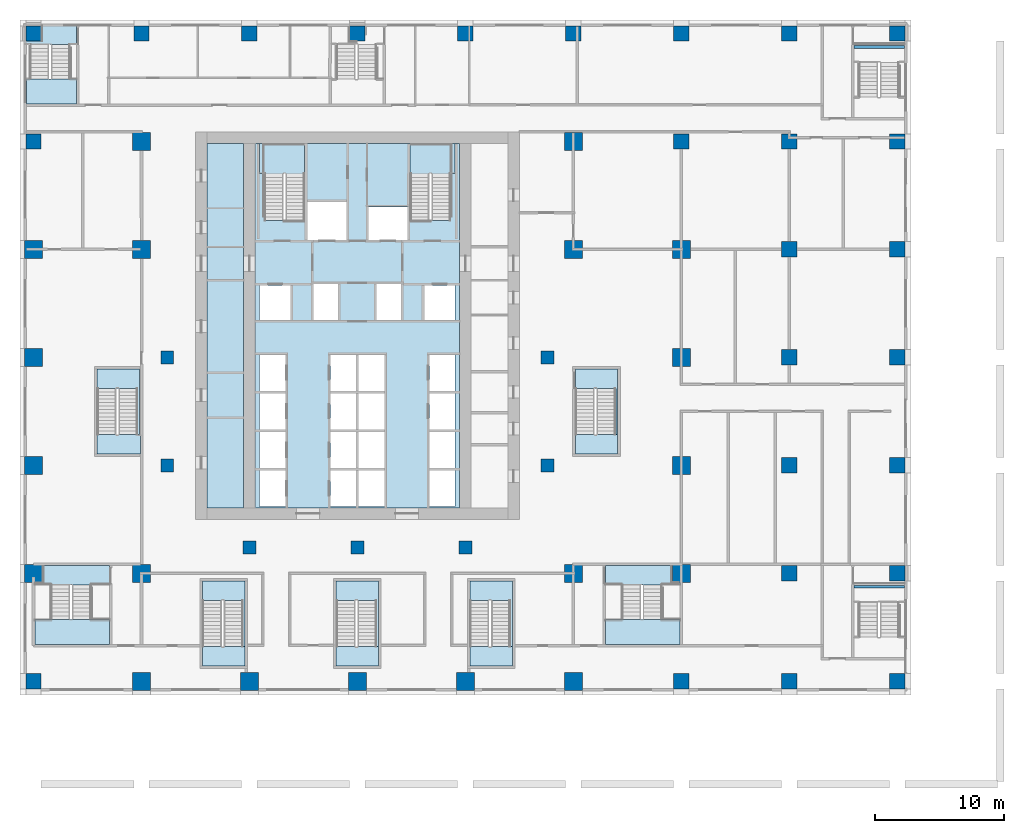
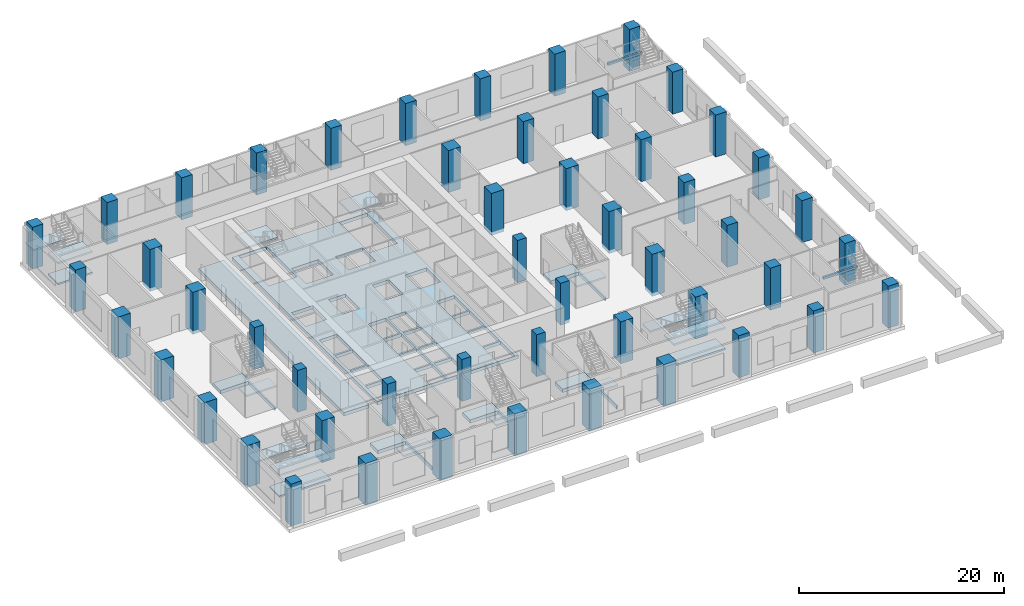
# One storey, part 1 of 21: 51 columns, 23 slabs, 2 beams, 10 elements without a shape of their own.
"""IFC4 building model written with IfcOpenShell, lengths in metres."""

import ifcopenshell
import ifcopenshell.guid

model = None  # the IFC model being written
_history = None  # IfcOwnerHistory: only IFC2X3 demands one
_inside = {}  # id of a spatial element -> (the spatial element, [elements in it])
_under = {}  # id of a project, library or spatial element -> (it, [spatial elements below it])
_declared = {}  # id of a project -> (the project, [libraries it declares])
_typed = {}  # id of a type object -> (the type object, [elements of that type])
_made_of = {}  # id of a material, layer set ... -> (it, [elements and type objects made of it])


def new_model(schema):
    """Start an empty IFC model of exactly this schema.

    Asked for "IFC4X3", IfcOpenShell would pick the latest addendum, in which some entities
    have other attributes; the version numbers below select the first issue.
    IFC2X3 requires an IfcOwnerHistory on every rooted entity: one is made here for all.
    """
    global model, _history
    if schema == "IFC4X3":
        model = ifcopenshell.file(schema_version=(4, 3, 0, 0))
    else:
        model = ifcopenshell.file(schema=schema)
    _inside.clear()
    _under.clear()
    _declared.clear()
    _typed.clear()
    _made_of.clear()
    _history = None
    if model.schema == "IFC2X3":
        org = make("IfcOrganization", Name="unknown")
        user = make(
            "IfcPersonAndOrganization",
            ThePerson=make("IfcPerson", FamilyName="unknown"),
            TheOrganization=org,
        )
        app = make(
            "IfcApplication",
            ApplicationDeveloper=org,
            Version="unknown",
            ApplicationFullName="unknown",
            ApplicationIdentifier="unknown",
        )
        _history = make(
            "IfcOwnerHistory",
            OwningUser=user,
            OwningApplication=app,
            ChangeAction="ADDED",
            CreationDate=0,
        )
    return model


def make(cls, **values):
    """One entity of the class cls with the attributes given. An attribute that is None is left unset."""
    return model.create_entity(
        cls, **{name: value for name, value in values.items() if value is not None}
    )


def rooted(cls, **values):
    """An entity with a GlobalId (a new one), such as an element, a storey or a relation."""
    return make(cls, GlobalId=ifcopenshell.guid.new(), OwnerHistory=_history, **values)


def si_unit(unit_type, name, prefix=None):
    """IfcSIUnit, for example si_unit("LENGTHUNIT", "METRE", prefix="MILLI")."""
    return make("IfcSIUnit", UnitType=unit_type, Prefix=prefix, Name=name)


def assignment(units):
    """IfcUnitAssignment: the units of a project."""
    return None if units is None else make("IfcUnitAssignment", Units=units)


def point(xyz):
    """IfcCartesianPoint."""
    return None if xyz is None else make("IfcCartesianPoint", Coordinates=xyz)


def direction(xyz):
    """IfcDirection."""
    return None if xyz is None else make("IfcDirection", DirectionRatios=xyz)


def frame(location, z_axis=None, x_axis=None):
    """IfcAxis2Placement3D, a coordinate frame: its origin and axes. An axis left out is left unset."""
    return make(
        "IfcAxis2Placement3D",
        Location=point(location),
        Axis=direction(z_axis),
        RefDirection=direction(x_axis),
    )


def frame_2d(location, x_axis=None):
    """IfcAxis2Placement2D, a coordinate frame in the plane: its origin and x axis."""
    return make(
        "IfcAxis2Placement2D", Location=point(location), RefDirection=direction(x_axis)
    )


def origin():
    """The frame at (0, 0, 0) with its axes left unset."""
    return frame((0.0, 0.0, 0.0))


def origin_2d():
    """The frame at (0, 0) in the plane with its x axis left unset."""
    return frame_2d((0.0, 0.0))


def place(relative_to, where):
    """IfcLocalPlacement: puts the frame where relative to a parent placement (None: the world)."""
    return make(
        "IfcLocalPlacement", PlacementRelTo=relative_to, RelativePlacement=where
    )


def context(
    kind, dimensions, precision=None, world=None, true_north=None, identifier=None
):
    """IfcGeometricRepresentationContext, for example the 3D "Model" context."""
    return make(
        "IfcGeometricRepresentationContext",
        ContextIdentifier=identifier,
        ContextType=kind,
        CoordinateSpaceDimension=dimensions,
        Precision=precision,
        WorldCoordinateSystem=world,
        TrueNorth=true_north,
    )


def subcontext(parent, identifier, kind, view, scale=None):
    """IfcGeometricRepresentationSubContext, for example "Body" below "Model"."""
    return make(
        "IfcGeometricRepresentationSubContext",
        ContextIdentifier=identifier,
        ContextType=kind,
        ParentContext=parent,
        TargetScale=scale,
        TargetView=view,
    )


def project(units=None, contexts=None):
    """IfcProject with its units and contexts."""
    return rooted(
        "IfcProject",
        Name="project",
        RepresentationContexts=contexts,
        UnitsInContext=assignment(units),
    )


def spatial(cls, under=None, at=None, **own):
    """A site, building, storey or space (cls), placed at a placement, below another one or the project."""
    s = rooted(cls, ObjectPlacement=at, **own)
    if under is not None:
        _under.setdefault(under.id(), (under, []))[1].append(s)
    return s


def polyline(points):
    """IfcPolyline through the points."""
    return make("IfcPolyline", Points=[point(p) for p in points])


def profile(cls, at=None, kind="AREA", **sizes):
    """A parametric profile (cls). Its sizes go by their IFC names, for example OverallWidth=200.0."""
    return make(cls, ProfileType=kind, Position=at, **sizes)


def rectangle(**sizes):
    """IfcRectangleProfileDef."""
    return profile("IfcRectangleProfileDef", **sizes)


def outline(outer, holes=None, kind="AREA"):
    """IfcArbitraryClosedProfileDef: a profile drawn as a closed curve; with holes, ...WithVoids."""
    if holes is None:
        return make("IfcArbitraryClosedProfileDef", ProfileType=kind, OuterCurve=outer)
    return make(
        "IfcArbitraryProfileDefWithVoids",
        ProfileType=kind,
        OuterCurve=outer,
        InnerCurves=holes,
    )


def extrude(swept, where, along, depth):
    """IfcExtrudedAreaSolid: the profile swept, set in the frame where, extruded along a direction by depth."""
    return make(
        "IfcExtrudedAreaSolid",
        SweptArea=swept,
        Position=where,
        ExtrudedDirection=direction(along),
        Depth=depth,
    )


def shape(context_of_items, identifier, shape_type, items):
    """IfcShapeRepresentation: the items that make up one representation, for example the "Body"."""
    return make(
        "IfcShapeRepresentation",
        ContextOfItems=context_of_items,
        RepresentationIdentifier=identifier,
        RepresentationType=shape_type,
        Items=items,
    )


def material(Name=None, Category=None):
    """IfcMaterial."""
    return make("IfcMaterial", Name=Name, Category=Category)


def layer(
    of_material, thickness, ventilated=None, Name=None, Category=None, Priority=None
):
    """IfcMaterialLayer: one layer of a wall or slab, of a material (None: an air gap)."""
    return make(
        "IfcMaterialLayer",
        Material=of_material,
        LayerThickness=thickness,
        IsVentilated=ventilated,
        Name=Name,
        Category=Category,
        Priority=Priority,
    )


def layer_set(layers, Name=None):
    """IfcMaterialLayerSet."""
    return make("IfcMaterialLayerSet", MaterialLayers=layers, LayerSetName=Name)


def material_profile(
    of_material, cross_section, Name=None, Category=None, Priority=None
):
    """IfcMaterialProfile: a cross section and its material."""
    return make(
        "IfcMaterialProfile",
        Name=Name,
        Material=of_material,
        Profile=cross_section,
        Priority=Priority,
        Category=Category,
    )


def profile_set(profiles, Name=None, composite=None):
    """IfcMaterialProfileSet."""
    return make(
        "IfcMaterialProfileSet",
        Name=Name,
        MaterialProfiles=profiles,
        CompositeProfile=composite,
    )


def made_of(thing, what):
    """Note that an element or type object is made of a material, layer set ...; save() writes the relation."""
    if what is not None:
        _made_of.setdefault(what.id(), (what, []))[1].append(thing)
    return thing


def type_object(cls, material=None, **own):
    """A type object (cls), such as IfcWallType, which elements share."""
    return made_of(rooted(cls, **own), material)


def element(
    cls,
    number,
    at=None,
    inside=None,
    cuts=None,
    type_object=None,
    material=None,
    context=None,
    identifier="Body",
    shape_type=None,
    held_by="IfcProductDefinitionShape",
    body=None,
    shapes=None,
    **own,
):
    """One element of the class cls, such as IfcWall. Its Tag is "e" and its number.

    at: its placement. inside: the storey or other place that contains it. cuts: it is an
    opening in that element (IfcRelVoidsElement). A single representation is given by context,
    identifier, shape_type and body (its items); several are given by shapes. held_by: the class
    of the entity that holds the representations. save() writes the other relations.
    """
    e = rooted(cls, Tag="e%d" % number, ObjectPlacement=at, **own)
    if body is not None:
        shapes = [shape(context, identifier, shape_type, body)]
    if shapes is not None:
        e.Representation = make(held_by, Representations=shapes)
    if inside is not None:
        _inside.setdefault(inside.id(), (inside, []))[1].append(e)
    if cuts is not None:
        rooted(
            "IfcRelVoidsElement", RelatingBuildingElement=cuts, RelatedOpeningElement=e
        )
    if type_object is not None:
        _typed.setdefault(type_object.id(), (type_object, []))[1].append(e)
    return made_of(e, material)


def aggregate(whole, parts):
    """IfcRelAggregates: a whole, such as a stair, and the parts it consists of."""
    return rooted("IfcRelAggregates", RelatingObject=whole, RelatedObjects=parts)


def save(model, path):
    """Write the relations noted so far, then the file.

    IfcRelAggregates (storeys below a building ...), IfcRelContainedInSpatialStructure (elements
    in a storey), IfcRelDefinesByType, IfcRelAssociatesMaterial and IfcRelDeclares: one each for
    every whole, place, type object, material and project.
    """
    for whole, parts in _under.values():
        aggregate(whole, parts)
    for where, things in _inside.values():
        rooted(
            "IfcRelContainedInSpatialStructure",
            RelatedElements=things,
            RelatingStructure=where,
        )
    for kind, things in _typed.values():
        rooted("IfcRelDefinesByType", RelatedObjects=things, RelatingType=kind)
    for what, things in _made_of.values():
        rooted("IfcRelAssociatesMaterial", RelatedObjects=things, RelatingMaterial=what)
    for by, libraries in _declared.values():
        rooted("IfcRelDeclares", RelatingContext=by, RelatedDefinitions=libraries)
    model.write(path)


model = new_model("IFC4")

# Units and contexts
model_context = context("Model", 3, precision=1e-05, world=origin(), true_north=direction((0.0, 1.0)))
body_context = subcontext(model_context, "Body", "Model", "MODEL_VIEW")
ifc_project = project(units=[si_unit("LENGTHUNIT", "METRE"), si_unit("AREAUNIT", "SQUARE_METRE"), si_unit("VOLUMEUNIT", "CUBIC_METRE"), si_unit("PLANEANGLEUNIT", "RADIAN"), si_unit("MASSUNIT", "GRAM", prefix="KILO")], contexts=[model_context])

# Site, building, storey
site_placement = place(None, origin())
site = spatial("IfcSite", under=ifc_project, at=site_placement, CompositionType="ELEMENT")
building_placement = place(site_placement, origin())
building = spatial("IfcBuilding", under=site, at=building_placement, Name="Vermilion Ogive Tower", CompositionType="ELEMENT")
storey_placement = place(building_placement, frame((0.0, 0.0, 25.0)))
storey = spatial("IfcBuildingStorey", under=building, at=storey_placement, Name="L04", CompositionType="ELEMENT", Elevation=25.0)

# Columns
ifc_material_1 = material(Name="Concrete B80", Category="concrete")
ifc_material_profile_1 = material_profile(ifc_material_1, rectangle(XDim=1.39990234375, YDim=1.39990234375, at=origin_2d()), Name="1400 x 1400")
ifc_profile_set_1 = profile_set([ifc_material_profile_1], Name="Concrete B80")
column_type_1 = type_object("IfcColumnType", Name="Perimeter column 1400 x 1400 B80", PredefinedType="COLUMN", material=ifc_profile_set_1)
for number, where, z_axis, x_axis, name in (
    (1, (-16.800048828125, -21.0, -0.39990234375), (0.0, 0.0, 1.0), (1.0, 0.0, 0.0), "COL-L04-P-0168-210"),
    (2, (-8.39990234375, -21.0, -0.39990234375), (0.0, 0.0, 1.0), (1.0, 0.0, 0.0), "COL-L04-P-0084-210"),
    (3, (0.0, -21.0, -0.39990234375), (0.0, 0.0, 1.0), (1.0, 0.0, 0.0), "COL-L04-P+0000-210"),
    (4, (8.39990234375, -21.0, -0.39990234375), (0.0, 0.0, 1.0), (1.0, 0.0, 0.0), "COL-L04-P+0084-210"),
    (5, (16.800048828125, -21.0, -0.39990234375), (0.0, 0.0, 1.0), (1.0, 0.0, 0.0), "COL-L04-P+0168-210"),
    (6, (-25.199951171875, -12.60009765625, -0.39990234375), (0.0, 0.0, 1.0), (1.0, 0.0, 0.0), "COL-L04-P-0252-126"),
    (7, (-16.800048828125, -12.60009765625, -0.39990234375), (0.0, 0.0, 1.0), (1.0, 0.0, 0.0), "COL-L04-P-0168-126"),
    (8, (16.800048828125, -12.60009765625, -0.39990234375), (0.0, 0.0, 1.0), (1.0, 0.0, 0.0), "COL-L04-P+0168-126"),
    (9, (25.199951171875, -12.60009765625, -0.39990234375), (0.0, 0.0, 1.0), (1.0, 0.0, 0.0), "COL-L04-P+0252-126"),
    (10, (-25.199951171875, -4.199951171875, -0.39990234375), (0.0, 0.0, 1.0), (1.0, 0.0, 0.0), "COL-L04-P-0252-042"),
    (11, (25.199951171875, -4.199951171875, -0.39990234375), (0.0, 0.0, 1.0), (1.0, 0.0, 0.0), "COL-L04-P+0252-042"),
    (12, (-25.199951171875, 4.199951171875, -0.39990234375), (0.0, 0.0, 1.0), (1.0, 0.0, 0.0), "COL-L04-P-0252+042"),
    (13, (25.199951171875, 4.199951171875, -0.39990234375), (0.0, 0.0, 1.0), (1.0, 0.0, 0.0), "COL-L04-P+0252+042"),
    (14, (-25.199951171875, 12.60009765625, -0.39990234375), (0.0, 0.0, 1.0), (1.0, 0.0, 0.0), "COL-L04-P-0252+126"),
    (15, (-16.800048828125, 12.60009765625, -0.39990234375), (0.0, 0.0, 1.0), (1.0, 0.0, 0.0), "COL-L04-P-0168+126"),
    (16, (16.800048828125, 12.60009765625, -0.39990234375), (0.0, 0.0, 1.0), (1.0, 0.0, 0.0), "COL-L04-P+0168+126"),
    (17, (25.199951171875, 12.60009765625, -0.39990234375), (0.0, 0.0, 1.0), (1.0, 0.0, 0.0), "COL-L04-P+0252+126"),
    (18, (-16.800048828125, 21.0, -0.39990234375), (0.0, 0.0, 1.0), (1.0, 0.0, 0.0), "COL-L04-P-0168+210"),
    (19, (16.800048828125, 21.0, -0.39990234375), (0.0, 0.0, 1.0), (1.0, 0.0, 0.0), "COL-L04-P+0168+210"),
):
    element("IfcColumn", number, at=place(storey_placement, frame(where, z_axis=z_axis, x_axis=x_axis)), inside=storey, type_object=column_type_1, Name=name, PredefinedType="COLUMN", context=body_context, shape_type="SweptSolid", body=[
        extrude(rectangle(XDim=1.39990234375, YDim=1.39990234375, at=origin_2d()), origin(), (0.0, 0.0, 1.0), 5.0),
    ])
ifc_material_2 = material(Name="Concrete B60", Category="concrete")
ifc_material_profile_2 = material_profile(ifc_material_2, rectangle(XDim=1.199951171875, YDim=1.199951171875, at=origin_2d()), Name="RC 1200x1200")
ifc_profile_set_2 = profile_set([ifc_material_profile_2], Name="Concrete B60")
column_type_2 = type_object("IfcColumnType", Name="Podium column RC 1200", PredefinedType="COLUMN", material=ifc_profile_set_2)
for number, where, z_axis, x_axis, name in (
    (20, (-25.199951171875, -21.0, 0.0), (0.0, 0.0, 1.0), (1.0, 0.0, 0.0), "Column 1.2 L04"),
    (21, (25.199951171875, -21.0, 0.0), (0.0, 0.0, 1.0), (1.0, 0.0, 0.0), "Column 1.2 L04"),
    (22, (33.60009765625, -21.0, 0.0), (0.0, 0.0, 1.0), (1.0, 0.0, 0.0), "Column 1.2 L04"),
    (23, (42.0, -21.0, 0.0), (0.0, 0.0, 1.0), (1.0, 0.0, 0.0), "Column 1.2 L04"),
    (24, (33.60009765625, -12.60009765625, 0.0), (0.0, 0.0, 1.0), (1.0, 0.0, 0.0), "Column 1.2 L04"),
    (25, (42.0, -12.60009765625, 0.0), (0.0, 0.0, 1.0), (1.0, 0.0, 0.0), "Column 1.2 L04"),
    (26, (33.60009765625, -4.199951171875, 0.0), (0.0, 0.0, 1.0), (1.0, 0.0, 0.0), "Column 1.2 L04"),
    (27, (42.0, -4.199951171875, 0.0), (0.0, 0.0, 1.0), (1.0, 0.0, 0.0), "Column 1.2 L04"),
    (28, (33.60009765625, 4.199951171875, 0.0), (0.0, 0.0, 1.0), (1.0, 0.0, 0.0), "Column 1.2 L04"),
    (29, (42.0, 4.199951171875, 0.0), (0.0, 0.0, 1.0), (1.0, 0.0, 0.0), "Column 1.2 L04"),
    (30, (33.60009765625, 12.60009765625, 0.0), (0.0, 0.0, 1.0), (1.0, 0.0, 0.0), "Column 1.2 L04"),
    (31, (42.0, 12.60009765625, 0.0), (0.0, 0.0, 1.0), (1.0, 0.0, 0.0), "Column 1.2 L04"),
    (32, (-25.199951171875, 21.0, 0.0), (0.0, 0.0, 1.0), (1.0, 0.0, 0.0), "Column 1.2 L04"),
    (33, (25.199951171875, 21.0, 0.0), (0.0, 0.0, 1.0), (1.0, 0.0, 0.0), "Column 1.2 L04"),
    (34, (33.60009765625, 21.0, 0.0), (0.0, 0.0, 1.0), (1.0, 0.0, 0.0), "Column 1.2 L04"),
    (35, (42.0, 21.0, 0.0), (0.0, 0.0, 1.0), (1.0, 0.0, 0.0), "Column 1.2 L04"),
    (36, (-25.199951171875, 29.39990234375, 0.0), (0.0, 0.0, 1.0), (1.0, 0.0, 0.0), "Column 1.2 L04"),
    (37, (-16.800048828125, 29.39990234375, 0.0), (0.0, 0.0, 1.0), (1.0, 0.0, 0.0), "Column 1.2 L04"),
    (38, (-8.39990234375, 29.39990234375, 0.0), (0.0, 0.0, 1.0), (1.0, 0.0, 0.0), "Column 1.2 L04"),
    (39, (0.0, 29.39990234375, 0.0), (0.0, 0.0, 1.0), (1.0, 0.0, 0.0), "Column 1.2 L04"),
    (40, (8.39990234375, 29.39990234375, 0.0), (0.0, 0.0, 1.0), (1.0, 0.0, 0.0), "Column 1.2 L04"),
    (41, (16.800048828125, 29.39990234375, 0.0), (0.0, 0.0, 1.0), (1.0, 0.0, 0.0), "Column 1.2 L04"),
    (42, (25.199951171875, 29.39990234375, 0.0), (0.0, 0.0, 1.0), (1.0, 0.0, 0.0), "Column 1.2 L04"),
    (43, (33.60009765625, 29.39990234375, 0.0), (0.0, 0.0, 1.0), (1.0, 0.0, 0.0), "Column 1.2 L04"),
    (44, (42.0, 29.39990234375, 0.0), (0.0, 0.0, 1.0), (1.0, 0.0, 0.0), "Column 1.2 L04"),
):
    element("IfcColumn", number, at=place(storey_placement, frame(where, z_axis=z_axis, x_axis=x_axis)), inside=storey, type_object=column_type_2, Name=name, PredefinedType="COLUMN", context=body_context, shape_type="SweptSolid", body=[
        extrude(rectangle(XDim=1.199951171875, YDim=1.199951171875, at=origin_2d()), origin(), (0.0, 0.0, 1.0), 5.0),
    ])
ifc_material_3 = material(Name="Concrete B80", Category="concrete")
ifc_material_profile_3 = material_profile(ifc_material_3, rectangle(XDim=1.0, YDim=1.0, at=origin_2d()), Name="1000 x 1000")
ifc_profile_set_3 = profile_set([ifc_material_profile_3], Name="Concrete B80")
column_type_3 = type_object("IfcColumnType", Name="Ring column 1000 x 1000 B80", PredefinedType="COLUMN", material=ifc_profile_set_3)
for number, where, z_axis, x_axis, name in (
    (45, (-8.39990234375, -10.60009765625, -0.39990234375), (0.0, 0.0, 1.0), (1.0, 0.0, 0.0), "COL-L04-R-0084-106"),
    (46, (0.0, -10.60009765625, -0.39990234375), (0.0, 0.0, 1.0), (1.0, 0.0, 0.0), "COL-L04-R+0000-106"),
    (47, (8.39990234375, -10.60009765625, -0.39990234375), (0.0, 0.0, 1.0), (1.0, 0.0, 0.0), "COL-L04-R+0084-106"),
    (48, (-14.800048828125, -4.199951171875, -0.39990234375), (0.0, 0.0, 1.0), (1.0, 0.0, 0.0), "COL-L04-R-0148-042"),
    (49, (14.800048828125, -4.199951171875, -0.39990234375), (0.0, 0.0, 1.0), (1.0, 0.0, 0.0), "COL-L04-R+0148-042"),
    (50, (-14.800048828125, 4.199951171875, -0.39990234375), (0.0, 0.0, 1.0), (1.0, 0.0, 0.0), "COL-L04-R-0148+042"),
    (51, (14.800048828125, 4.199951171875, -0.39990234375), (0.0, 0.0, 1.0), (1.0, 0.0, 0.0), "COL-L04-R+0148+042"),
):
    element("IfcColumn", number, at=place(storey_placement, frame(where, z_axis=z_axis, x_axis=x_axis)), inside=storey, type_object=column_type_3, Name=name, PredefinedType="COLUMN", context=body_context, shape_type="SweptSolid", body=[
        extrude(rectangle(XDim=1.0, YDim=1.0, at=origin_2d()), origin(), (0.0, 0.0, 1.0), 5.0),
    ])

# Beams
ifc_material_4 = material(Name="Concrete B45", Category="concrete")
ifc_material_profile_4 = material_profile(ifc_material_4, rectangle(XDim=0.199951171875, YDim=0.300048828125, at=origin_2d()), Name="RC 200x300")
ifc_profile_set_4 = profile_set([ifc_material_profile_4], Name="Concrete B45")
beam_type = type_object("IfcBeamType", Name="Stair landing edge beam LB1 200x300", PredefinedType="BEAM", material=ifc_profile_set_4)
for number, where, z_axis, x_axis, name in (
    (52, (38.650146484375, 28.35009765625, 2.14990234375), (1.0, 0.0, 0.0), (0.0, 1.0, 0.0), "L04 stair landing edge beam"),
    (53, (38.650146484375, -13.64990234375, 2.14990234375), (1.0, 0.0, 0.0), (0.0, 1.0, 0.0), "L04 stair landing edge beam"),
):
    element("IfcBeam", number, at=place(storey_placement, frame(where, z_axis=z_axis, x_axis=x_axis)), inside=storey, type_object=beam_type, Name=name, PredefinedType="BEAM", context=body_context, shape_type="SweptSolid", body=[
        extrude(rectangle(XDim=0.199951171875, YDim=0.300048828125, at=origin_2d()), origin(), (0.0, 0.0, 1.0), 3.89990234375),
    ])

# Slabs
ifc_material_5 = material(Name="Concrete B40", Category="concrete")
ifc_layer_1 = layer(ifc_material_5, 0.39990234375)
ifc_layer_set_1 = layer_set([ifc_layer_1], Name="Core floor slab 400 B40")
slab_type_1 = type_object("IfcSlabType", Name="Core floor slab 400 B40", PredefinedType="FLOOR", material=ifc_layer_set_1)
slab_1_placement = place(storey_placement, frame((0.0, 0.0, -0.39990234375)))
element("IfcSlab", 54, at=slab_1_placement, inside=storey, type_object=slab_type_1, Name="L04-CK-FS1", PredefinedType="FLOOR", context=body_context, shape_type="SweptSolid", body=[
    extrude(outline(polyline([(-8.85400390625, -7.49609375), (-11.696044921875, -7.49609375), (-11.696044921875, 20.845947265625), (-8.85400390625, 20.845947265625), (-8.85400390625, -7.49609375)])), origin(), (0.0, 0.0, 1.0), 0.39990234375),
])
slab_2_placement = place(storey_placement, frame((0.0, 0.0, -0.39990234375)))
element("IfcSlab", 55, at=slab_2_placement, inside=storey, type_object=slab_type_1, Name="L04-CK-FS2", PredefinedType="FLOOR", context=body_context, shape_type="SweptSolid", body=[
    extrude(outline(polyline([(-7.946044921875, 20.845947265625), (-7.946044921875, -7.49609375), (7.946044921875, -7.49609375), (7.946044921875, 20.845947265625), (-7.946044921875, 20.845947265625)]), holes=[polyline([(-5.60009765625, -7.39990234375), (-7.60009765625, -7.39990234375), (-7.60009765625, -4.60009765625), (-5.60009765625, -4.60009765625), (-5.60009765625, -7.39990234375)]), polyline([(-0.10009765625, -7.39990234375), (-2.10009765625, -7.39990234375), (-2.10009765625, -4.60009765625), (-0.10009765625, -4.60009765625), (-0.10009765625, -7.39990234375)]), polyline([(-5.60009765625, -4.39990234375), (-7.60009765625, -4.39990234375), (-7.60009765625, -1.60009765625), (-5.60009765625, -1.60009765625), (-5.60009765625, -4.39990234375)]), polyline([(-0.10009765625, -4.39990234375), (-2.10009765625, -4.39990234375), (-2.10009765625, -1.60009765625), (-0.10009765625, -1.60009765625), (-0.10009765625, -4.39990234375)]), polyline([(-5.60009765625, -1.39990234375), (-7.60009765625, -1.39990234375), (-7.60009765625, 1.39990234375), (-5.60009765625, 1.39990234375), (-5.60009765625, -1.39990234375)]), polyline([(-0.10009765625, -1.39990234375), (-2.10009765625, -1.39990234375), (-2.10009765625, 1.39990234375), (-0.10009765625, 1.39990234375), (-0.10009765625, -1.39990234375)]), polyline([(-5.60009765625, 1.60009765625), (-7.60009765625, 1.60009765625), (-7.60009765625, 4.39990234375), (-5.60009765625, 4.39990234375), (-5.60009765625, 1.60009765625)]), polyline([(-0.10009765625, 1.60009765625), (-2.10009765625, 1.60009765625), (-2.10009765625, 4.39990234375), (-0.10009765625, 4.39990234375), (-0.10009765625, 1.60009765625)]), polyline([(-5.199951171875, 7.10009765625), (-7.60009765625, 7.10009765625), (-7.60009765625, 9.800048828125), (-5.199951171875, 9.800048828125), (-5.199951171875, 7.10009765625)]), polyline([(-1.5, 7.10009765625), (-3.39990234375, 7.10009765625), (-3.39990234375, 9.89990234375), (-1.5, 9.89990234375), (-1.5, 7.10009765625)]), polyline([(-0.85009765625, 13.35009765625), (-3.89990234375, 13.35009765625), (-3.89990234375, 16.300048828125), (-0.85009765625, 16.300048828125), (-0.85009765625, 13.35009765625)]), polyline([(-7.25, 14.85205078125), (-7.25, 20.75), (-4.10009765625, 20.75), (-4.10009765625, 14.85205078125), (-5.60009765625, 14.85205078125), (-5.60009765625, 14.85009765625), (-5.75, 14.85009765625), (-5.75, 14.85205078125), (-7.25, 14.85205078125)]), polyline([(2.10009765625, -7.39990234375), (0.10009765625, -7.39990234375), (0.10009765625, -4.60009765625), (2.10009765625, -4.60009765625), (2.10009765625, -7.39990234375)]), polyline([(7.60009765625, -7.39990234375), (5.60009765625, -7.39990234375), (5.60009765625, -4.60009765625), (7.60009765625, -4.60009765625), (7.60009765625, -7.39990234375)]), polyline([(2.10009765625, -4.39990234375), (0.10009765625, -4.39990234375), (0.10009765625, -1.60009765625), (2.10009765625, -1.60009765625), (2.10009765625, -4.39990234375)]), polyline([(5.60009765625, -4.39990234375), (5.60009765625, -1.60009765625), (7.60009765625, -1.60009765625), (7.60009765625, -4.39990234375), (5.60009765625, -4.39990234375)]), polyline([(2.10009765625, -1.39990234375), (0.10009765625, -1.39990234375), (0.10009765625, 1.39990234375), (2.10009765625, 1.39990234375), (2.10009765625, -1.39990234375)]), polyline([(7.60009765625, -1.39990234375), (5.60009765625, -1.39990234375), (5.60009765625, 1.39990234375), (7.60009765625, 1.39990234375), (7.60009765625, -1.39990234375)]), polyline([(7.60009765625, 1.60009765625), (5.60009765625, 1.60009765625), (5.60009765625, 4.39990234375), (7.60009765625, 4.39990234375), (7.60009765625, 1.60009765625)]), polyline([(2.10009765625, 1.60009765625), (0.10009765625, 1.60009765625), (0.10009765625, 4.39990234375), (2.10009765625, 4.39990234375), (2.10009765625, 1.60009765625)]), polyline([(7.60009765625, 7.10009765625), (5.199951171875, 7.10009765625), (5.199951171875, 9.800048828125), (7.60009765625, 9.800048828125), (7.60009765625, 7.10009765625)]), polyline([(3.39990234375, 7.10009765625), (1.5, 7.10009765625), (1.5, 9.89990234375), (3.39990234375, 9.89990234375), (3.39990234375, 7.10009765625)]), polyline([(3.89990234375, 13.35009765625), (0.85009765625, 13.35009765625), (0.85009765625, 15.89990234375), (3.89990234375, 15.89990234375), (3.89990234375, 13.35009765625)]), polyline([(5.75, 14.85009765625), (5.60009765625, 14.85009765625), (5.60009765625, 14.85205078125), (4.10009765625, 14.85205078125), (4.10009765625, 20.75), (7.25, 20.75), (7.25, 14.85205078125), (5.75, 14.85205078125), (5.75, 14.85009765625)])]), origin(), (0.0, 0.0, 1.0), 0.39990234375),
])
slab_3_placement = place(storey_placement, frame((0.0, 0.0, -0.39990234375)))
element("IfcSlab", 56, at=slab_3_placement, inside=storey, type_object=slab_type_1, Name="L04-SF-ST3-1", PredefinedType="FLOOR", context=body_context, shape_type="SweptSolid", body=[
    extrude(outline(polyline([(-12.050048828125, -13.199951171875), (-12.050048828125, -14.701904296875), (-10.550048828125, -14.701904296875), (-10.550048828125, -14.699951171875), (-10.39990234375, -14.699951171875), (-10.39990234375, -14.701904296875), (-8.89990234375, -14.701904296875), (-8.89990234375, -19.800048828125), (-8.75, -19.800048828125), (-8.75, -13.199951171875), (-12.050048828125, -13.199951171875)])), origin(), (0.0, 0.0, 1.0), 0.39990234375),
])
slab_4_placement = place(storey_placement, frame((0.0, 0.0, -0.39990234375)))
element("IfcSlab", 57, at=slab_4_placement, inside=storey, type_object=slab_type_1, Name="L04-SF-ST4-1", PredefinedType="FLOOR", context=body_context, shape_type="SweptSolid", body=[
    extrude(outline(polyline([(-1.64990234375, -13.199951171875), (-1.64990234375, -14.701904296875), (-0.14990234375, -14.701904296875), (-0.14990234375, -14.699951171875), (0.0, -14.699951171875), (0.0, -14.701904296875), (1.5, -14.701904296875), (1.5, -19.800048828125), (1.64990234375, -19.800048828125), (1.64990234375, -13.199951171875), (-1.64990234375, -13.199951171875)])), origin(), (0.0, 0.0, 1.0), 0.39990234375),
])
slab_5_placement = place(storey_placement, frame((0.0, 0.0, -0.39990234375)))
element("IfcSlab", 58, at=slab_5_placement, inside=storey, type_object=slab_type_1, Name="L04-SF-ST5-1", PredefinedType="FLOOR", context=body_context, shape_type="SweptSolid", body=[
    extrude(outline(polyline([(8.75, -13.199951171875), (8.75, -14.701904296875), (10.25, -14.701904296875), (10.25, -14.699951171875), (10.39990234375, -14.699951171875), (10.39990234375, -14.701904296875), (11.89990234375, -14.701904296875), (11.89990234375, -19.800048828125), (12.050048828125, -19.800048828125), (12.050048828125, -13.199951171875), (8.75, -13.199951171875)])), origin(), (0.0, 0.0, 1.0), 0.39990234375),
])
slab_6_placement = place(storey_placement, frame((0.0, 0.0, -0.39990234375)))
element("IfcSlab", 59, at=slab_6_placement, inside=storey, type_object=slab_type_1, Name="L04-SF-ST8-1", PredefinedType="FLOOR", context=body_context, shape_type="SweptSolid", body=[
    extrude(outline(polyline([(16.949951171875, 3.300048828125), (16.949951171875, 1.798095703125), (18.449951171875, 1.798095703125), (18.449951171875, 1.800048828125), (18.60009765625, 1.800048828125), (18.60009765625, 1.798095703125), (20.10009765625, 1.798095703125), (20.10009765625, -3.300048828125), (20.25, -3.300048828125), (20.25, 3.300048828125), (16.949951171875, 3.300048828125)])), origin(), (0.0, 0.0, 1.0), 0.39990234375),
])
slab_7_placement = place(storey_placement, frame((0.0, 0.0, -0.39990234375)))
element("IfcSlab", 60, at=slab_7_placement, inside=storey, type_object=slab_type_1, Name="L04-SF-ST9-1", PredefinedType="FLOOR", context=body_context, shape_type="SweptSolid", body=[
    extrude(outline(polyline([(-20.25, 3.300048828125), (-20.25, 1.798095703125), (-18.75, 1.798095703125), (-18.75, 1.800048828125), (-18.60009765625, 1.800048828125), (-18.60009765625, 1.798095703125), (-17.10009765625, 1.798095703125), (-17.10009765625, -3.300048828125), (-16.949951171875, -3.300048828125), (-16.949951171875, 3.300048828125), (-20.25, 3.300048828125)])), origin(), (0.0, 0.0, 1.0), 0.39990234375),
])

# Stair, slab
ifc_material_6 = material(Name="Concrete B40", Category="concrete")
stair_type = type_object("IfcStairType", Name="Exit stair 1500", PredefinedType="HALF_TURN_STAIR", material=ifc_material_6)
stair_1_placement = place(storey_placement, origin())
stair_1 = element("IfcStair", 61, at=stair_1_placement, inside=storey, type_object=stair_type, Name="L04 Exit Stair ST1", PredefinedType="HALF_TURN_STAIR")
ifc_material_7 = material(Name="Concrete B40", Category="concrete")
ifc_layer_2 = layer(ifc_material_7, 0.199951171875)
ifc_layer_set_2 = layer_set([ifc_layer_2], Name="Stair landing 200")
slab_type_2 = type_object("IfcSlabType", Name="Stair landing 200", PredefinedType="LANDING", material=ifc_layer_set_2)
slab_8_placement = place(storey_placement, frame((0.0, 0.0, 2.300048828125)))
slab_8 = element("IfcSlab", 62, at=slab_8_placement, type_object=slab_type_2, Name="ST1 landing 1", PredefinedType="LANDING", context=body_context, shape_type="SweptSolid", body=[
    extrude(outline(polyline([(-7.60009765625, 18.489990234375), (-7.25, 18.489990234375), (-7.25, 18.488037109375), (-5.75, 18.488037109375), (-5.75, 18.489990234375), (-5.60009765625, 18.489990234375), (-5.60009765625, 18.488037109375), (-4.10009765625, 18.488037109375), (-4.10009765625, 20.85009765625), (-7.60009765625, 20.85009765625), (-7.60009765625, 18.489990234375)])), origin(), (0.0, 0.0, 1.0), 0.199951171875),
])
aggregate(stair_1, [slab_8])

stair_2_placement = place(storey_placement, origin())
stair_2 = element("IfcStair", 63, at=stair_2_placement, inside=storey, type_object=stair_type, Name="L04 Exit Stair ST2", PredefinedType="HALF_TURN_STAIR")
slab_9_placement = place(storey_placement, frame((0.0, 0.0, 2.300048828125)))
slab_9 = element("IfcSlab", 64, at=slab_9_placement, type_object=slab_type_2, Name="ST2 landing 1", PredefinedType="LANDING", context=body_context, shape_type="SweptSolid", body=[
    extrude(outline(polyline([(5.60009765625, 18.489990234375), (5.75, 18.489990234375), (5.75, 18.488037109375), (7.25, 18.488037109375), (7.25, 18.489990234375), (7.60009765625, 18.489990234375), (7.60009765625, 20.85009765625), (4.074951171875, 20.85009765625), (4.074951171875, 18.489990234375), (4.10009765625, 18.489990234375), (4.10009765625, 18.488037109375), (5.60009765625, 18.488037109375), (5.60009765625, 18.489990234375)])), origin(), (0.0, 0.0, 1.0), 0.199951171875),
])
aggregate(stair_2, [slab_9])

stair_3_placement = place(storey_placement, origin())
stair_3 = element("IfcStair", 65, at=stair_3_placement, inside=storey, type_object=stair_type, Name="L04 Exit Stair ST3", PredefinedType="HALF_TURN_STAIR")
slab_10_placement = place(storey_placement, frame((0.0, 0.0, 2.300048828125)))
slab_10 = element("IfcSlab", 66, at=slab_10_placement, type_object=slab_type_2, Name="ST3 landing 1", PredefinedType="LANDING", context=body_context, shape_type="SweptSolid", body=[
    extrude(outline(polyline([(-8.75, -18.300048828125), (-8.89990234375, -18.300048828125), (-8.89990234375, -18.298095703125), (-10.39990234375, -18.298095703125), (-10.39990234375, -18.300048828125), (-10.550048828125, -18.300048828125), (-10.550048828125, -18.298095703125), (-12.050048828125, -18.298095703125), (-12.050048828125, -19.800048828125), (-8.75, -19.800048828125), (-8.75, -18.300048828125)])), origin(), (0.0, 0.0, 1.0), 0.199951171875),
])
aggregate(stair_3, [slab_10])

stair_4_placement = place(storey_placement, origin())
stair_4 = element("IfcStair", 67, at=stair_4_placement, inside=storey, type_object=stair_type, Name="L04 Exit Stair ST4", PredefinedType="HALF_TURN_STAIR")
slab_11_placement = place(storey_placement, frame((0.0, 0.0, 2.300048828125)))
slab_11 = element("IfcSlab", 68, at=slab_11_placement, type_object=slab_type_2, Name="ST4 landing 1", PredefinedType="LANDING", context=body_context, shape_type="SweptSolid", body=[
    extrude(outline(polyline([(1.64990234375, -18.300048828125), (1.5, -18.300048828125), (1.5, -18.298095703125), (0.0, -18.298095703125), (0.0, -18.300048828125), (-0.14990234375, -18.300048828125), (-0.14990234375, -18.298095703125), (-1.64990234375, -18.298095703125), (-1.64990234375, -19.800048828125), (1.64990234375, -19.800048828125), (1.64990234375, -18.300048828125)])), origin(), (0.0, 0.0, 1.0), 0.199951171875),
])
aggregate(stair_4, [slab_11])

stair_5_placement = place(storey_placement, origin())
stair_5 = element("IfcStair", 69, at=stair_5_placement, inside=storey, type_object=stair_type, Name="L04 Exit Stair ST5", PredefinedType="HALF_TURN_STAIR")
slab_12_placement = place(storey_placement, frame((0.0, 0.0, 2.300048828125)))
slab_12 = element("IfcSlab", 70, at=slab_12_placement, type_object=slab_type_2, Name="ST5 landing 1", PredefinedType="LANDING", context=body_context, shape_type="SweptSolid", body=[
    extrude(outline(polyline([(12.050048828125, -18.300048828125), (11.89990234375, -18.300048828125), (11.89990234375, -18.298095703125), (10.39990234375, -18.298095703125), (10.39990234375, -18.300048828125), (10.25, -18.300048828125), (10.25, -18.298095703125), (8.75, -18.298095703125), (8.75, -19.800048828125), (12.050048828125, -19.800048828125), (12.050048828125, -18.300048828125)])), origin(), (0.0, 0.0, 1.0), 0.199951171875),
])
aggregate(stair_5, [slab_12])

stair_6_placement = place(storey_placement, origin())
stair_6 = element("IfcStair", 71, at=stair_6_placement, inside=storey, type_object=stair_type, Name="L04 Exit Stair ST8", PredefinedType="HALF_TURN_STAIR")
slab_13_placement = place(storey_placement, frame((0.0, 0.0, 2.300048828125)))
slab_13 = element("IfcSlab", 72, at=slab_13_placement, type_object=slab_type_2, Name="ST8 landing 1", PredefinedType="LANDING", context=body_context, shape_type="SweptSolid", body=[
    extrude(outline(polyline([(20.25, -1.800048828125), (20.10009765625, -1.800048828125), (20.10009765625, -1.798095703125), (18.60009765625, -1.798095703125), (18.60009765625, -1.800048828125), (18.449951171875, -1.800048828125), (18.449951171875, -1.798095703125), (16.949951171875, -1.798095703125), (16.949951171875, -3.300048828125), (20.25, -3.300048828125), (20.25, -1.800048828125)])), origin(), (0.0, 0.0, 1.0), 0.199951171875),
])
aggregate(stair_6, [slab_13])

stair_7_placement = place(storey_placement, origin())
stair_7 = element("IfcStair", 73, at=stair_7_placement, inside=storey, type_object=stair_type, Name="L04 Exit Stair ST9", PredefinedType="HALF_TURN_STAIR")
slab_14_placement = place(storey_placement, frame((0.0, 0.0, 2.300048828125)))
slab_14 = element("IfcSlab", 74, at=slab_14_placement, type_object=slab_type_2, Name="ST9 landing 1", PredefinedType="LANDING", context=body_context, shape_type="SweptSolid", body=[
    extrude(outline(polyline([(-16.875, -1.800048828125), (-17.10009765625, -1.800048828125), (-17.10009765625, -1.798095703125), (-18.60009765625, -1.798095703125), (-18.60009765625, -1.800048828125), (-18.75, -1.800048828125), (-18.75, -1.798095703125), (-20.25, -1.798095703125), (-20.25, -3.300048828125), (-16.875, -3.300048828125), (-16.875, -1.800048828125)])), origin(), (0.0, 0.0, 1.0), 0.199951171875),
])
aggregate(stair_7, [slab_14])

# Stair, slabs
stair_8_placement = place(storey_placement, origin())
stair_8 = element("IfcStair", 75, at=stair_8_placement, inside=storey, type_object=stair_type, Name="L04 Exit Stair PS1", PredefinedType="HALF_TURN_STAIR")
slab_15_placement = place(storey_placement, frame((0.0, 0.0, 1.050048828125)))
slab_15 = element("IfcSlab", 76, at=slab_15_placement, type_object=slab_type_2, Name="PS1 landing 1", PredefinedType="LANDING", context=body_context, shape_type="SweptSolid", body=[
    extrude(outline(polyline([(-21.85009765625, 25.85009765625), (-22.35009765625, 25.85009765625), (-22.35009765625, 25.85205078125), (-23.85009765625, 25.85205078125), (-23.85009765625, 25.85009765625), (-24.0, 25.85009765625), (-24.0, 25.85205078125), (-25.5, 25.85205078125), (-25.5, 25.85009765625), (-25.75, 25.85009765625), (-25.75, 23.925048828125), (-21.85009765625, 23.925048828125), (-21.85009765625, 25.85009765625)])), origin(), (0.0, 0.0, 1.0), 0.199951171875),
])
slab_16_placement = place(storey_placement, frame((0.0, 0.0, 2.300048828125)))
slab_16 = element("IfcSlab", 77, at=slab_16_placement, type_object=slab_type_2, Name="PS1 landing 2", PredefinedType="LANDING", context=body_context, shape_type="SweptSolid", body=[
    extrude(outline(polyline([(-25.85009765625, 28.550048828125), (-25.5, 28.550048828125), (-25.5, 28.548095703125), (-24.0, 28.548095703125), (-24.0, 28.550048828125), (-23.85009765625, 28.550048828125), (-23.85009765625, 28.548095703125), (-22.35009765625, 28.548095703125), (-22.35009765625, 28.550048828125), (-21.85009765625, 28.550048828125), (-21.85009765625, 30.050048828125), (-25.85009765625, 30.050048828125), (-25.85009765625, 28.550048828125)])), origin(), (0.0, 0.0, 1.0), 0.199951171875),
])
slab_17_placement = place(storey_placement, frame((0.0, 0.0, 3.550048828125)))
slab_17 = element("IfcSlab", 78, at=slab_17_placement, type_object=slab_type_2, Name="PS1 landing 3", PredefinedType="LANDING", context=body_context, shape_type="SweptSolid", body=[
    extrude(outline(polyline([(-21.85009765625, 25.85009765625), (-22.35009765625, 25.85009765625), (-22.35009765625, 25.85205078125), (-23.85009765625, 25.85205078125), (-23.85009765625, 25.85009765625), (-24.0, 25.85009765625), (-24.0, 25.85205078125), (-25.5, 25.85205078125), (-25.5, 25.85009765625), (-25.75, 25.85009765625), (-25.75, 23.925048828125), (-21.85009765625, 23.925048828125), (-21.85009765625, 25.85009765625)])), origin(), (0.0, 0.0, 1.0), 0.199951171875),
])
aggregate(stair_8, [slab_15, slab_16, slab_17])

stair_9_placement = place(storey_placement, origin())
stair_9 = element("IfcStair", 79, at=stair_9_placement, inside=storey, type_object=stair_type, Name="L04 Exit Stair PS3", PredefinedType="HALF_TURN_STAIR")
slab_18_placement = place(storey_placement, frame((0.0, 0.0, 1.050048828125)))
slab_18 = element("IfcSlab", 80, at=slab_18_placement, type_object=slab_type_2, Name="PS3 landing 1", PredefinedType="LANDING", context=body_context, shape_type="SweptSolid", body=[
    extrude(outline(polyline([(25.099853515625, -16.199951171875), (23.699951171875, -16.199951171875), (23.699951171875, -16.197998046875), (22.199951171875, -16.197998046875), (22.199951171875, -16.199951171875), (22.050048828125, -16.199951171875), (22.050048828125, -16.197998046875), (20.550048828125, -16.197998046875), (20.550048828125, -16.199951171875), (19.300048828125, -16.199951171875), (19.300048828125, -18.125), (25.099853515625, -18.125), (25.099853515625, -16.199951171875)])), origin(), (0.0, 0.0, 1.0), 0.199951171875),
])
slab_19_placement = place(storey_placement, frame((0.0, 0.0, 2.300048828125)))
slab_19 = element("IfcSlab", 81, at=slab_19_placement, type_object=slab_type_2, Name="PS3 landing 2", PredefinedType="LANDING", context=body_context, shape_type="SweptSolid", body=[
    extrude(outline(polyline([(19.300048828125, -13.5), (20.550048828125, -13.5), (20.550048828125, -13.501953125), (22.050048828125, -13.501953125), (22.050048828125, -13.5), (22.199951171875, -13.5), (22.199951171875, -13.501953125), (23.699951171875, -13.501953125), (23.699951171875, -13.5), (25.099853515625, -13.5), (25.099853515625, -11.974853515625), (19.300048828125, -11.974853515625), (19.300048828125, -13.5)])), origin(), (0.0, 0.0, 1.0), 0.199951171875),
])
slab_20_placement = place(storey_placement, frame((0.0, 0.0, 3.550048828125)))
slab_20 = element("IfcSlab", 82, at=slab_20_placement, type_object=slab_type_2, Name="PS3 landing 3", PredefinedType="LANDING", context=body_context, shape_type="SweptSolid", body=[
    extrude(outline(polyline([(25.099853515625, -16.199951171875), (23.699951171875, -16.199951171875), (23.699951171875, -16.197998046875), (22.199951171875, -16.197998046875), (22.199951171875, -16.199951171875), (22.050048828125, -16.199951171875), (22.050048828125, -16.197998046875), (20.550048828125, -16.197998046875), (20.550048828125, -16.199951171875), (19.300048828125, -16.199951171875), (19.300048828125, -18.125), (25.099853515625, -18.125), (25.099853515625, -16.199951171875)])), origin(), (0.0, 0.0, 1.0), 0.199951171875),
])
aggregate(stair_9, [slab_18, slab_19, slab_20])

stair_10_placement = place(storey_placement, origin())
stair_10 = element("IfcStair", 83, at=stair_10_placement, inside=storey, type_object=stair_type, Name="L04 Exit Stair PS4", PredefinedType="HALF_TURN_STAIR")
slab_21_placement = place(storey_placement, frame((0.0, 0.0, 1.050048828125)))
slab_21 = element("IfcSlab", 84, at=slab_21_placement, type_object=slab_type_2, Name="PS4 landing 1", PredefinedType="LANDING", context=body_context, shape_type="SweptSolid", body=[
    extrude(outline(polyline([(-19.300048828125, -16.199951171875), (-20.699951171875, -16.199951171875), (-20.699951171875, -16.197998046875), (-22.199951171875, -16.197998046875), (-22.199951171875, -16.199951171875), (-22.35009765625, -16.199951171875), (-22.35009765625, -16.197998046875), (-23.85009765625, -16.197998046875), (-23.85009765625, -16.199951171875), (-25.10009765625, -16.199951171875), (-25.10009765625, -18.125), (-19.300048828125, -18.125), (-19.300048828125, -16.199951171875)])), origin(), (0.0, 0.0, 1.0), 0.199951171875),
])
slab_22_placement = place(storey_placement, frame((0.0, 0.0, 2.300048828125)))
slab_22 = element("IfcSlab", 85, at=slab_22_placement, type_object=slab_type_2, Name="PS4 landing 2", PredefinedType="LANDING", context=body_context, shape_type="SweptSolid", body=[
    extrude(outline(polyline([(-25.10009765625, -13.5), (-23.85009765625, -13.5), (-23.85009765625, -13.501953125), (-22.35009765625, -13.501953125), (-22.35009765625, -13.5), (-22.199951171875, -13.5), (-22.199951171875, -13.501953125), (-20.699951171875, -13.501953125), (-20.699951171875, -13.5), (-19.300048828125, -13.5), (-19.300048828125, -12.0), (-25.10009765625, -12.0), (-25.10009765625, -13.5)])), origin(), (0.0, 0.0, 1.0), 0.199951171875),
])
slab_23_placement = place(storey_placement, frame((0.0, 0.0, 3.550048828125)))
slab_23 = element("IfcSlab", 86, at=slab_23_placement, type_object=slab_type_2, Name="PS4 landing 3", PredefinedType="LANDING", context=body_context, shape_type="SweptSolid", body=[
    extrude(outline(polyline([(-19.300048828125, -16.199951171875), (-20.699951171875, -16.199951171875), (-20.699951171875, -16.197998046875), (-22.199951171875, -16.197998046875), (-22.199951171875, -16.199951171875), (-22.35009765625, -16.199951171875), (-22.35009765625, -16.197998046875), (-23.85009765625, -16.197998046875), (-23.85009765625, -16.199951171875), (-25.10009765625, -16.199951171875), (-25.10009765625, -18.125), (-19.300048828125, -18.125), (-19.300048828125, -16.199951171875)])), origin(), (0.0, 0.0, 1.0), 0.199951171875),
])
aggregate(stair_10, [slab_21, slab_22, slab_23])

save(model, "model.ifc")
